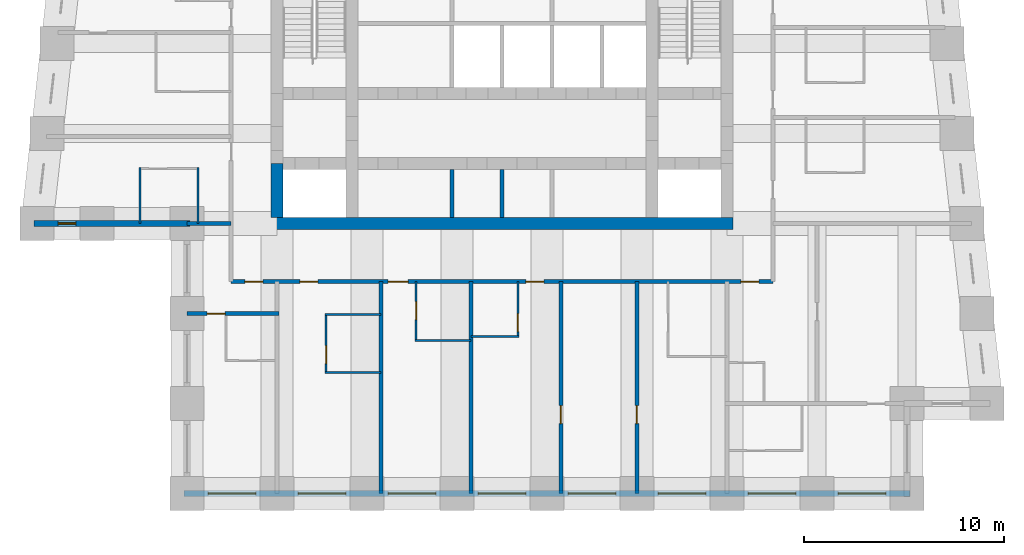
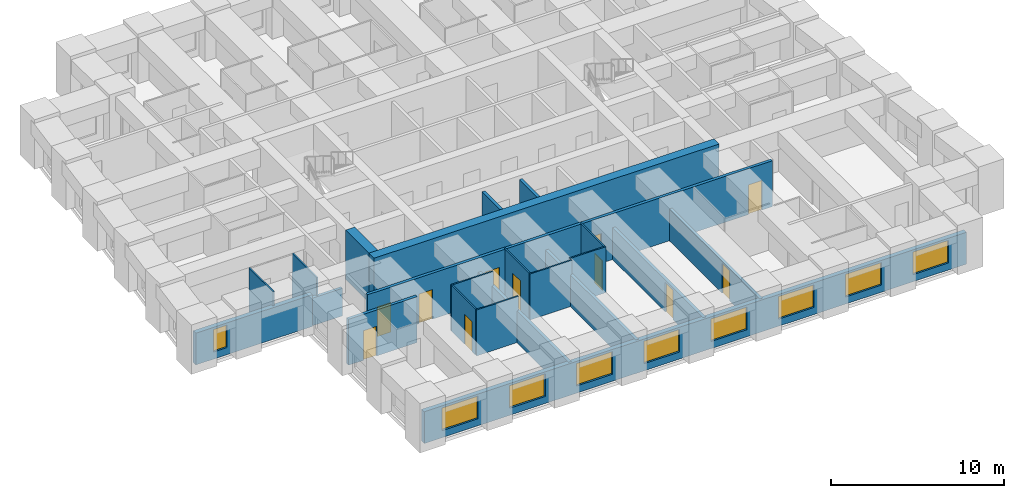
# One storey, part 2 of 8: 22 walls, 11 doors, 9 windows, 20 openings.
"""IFC4 building model written with IfcOpenShell, lengths in metres."""

from ifc_helpers import new_model, si_unit, direction, frame, frame_2d, origin, place, context, subcontext, project, spatial, rectangle, extrude, material, layer, layer_set, type_object, element, fill, save


model = new_model("IFC4")

# Units and contexts
model_context = context("Model", 3, precision=1e-05, world=origin(), true_north=direction((0.0, 1.0)))
body_context = subcontext(model_context, "Body", "Model", "MODEL_VIEW")
ifc_project = project(units=[si_unit("LENGTHUNIT", "METRE"), si_unit("AREAUNIT", "SQUARE_METRE"), si_unit("VOLUMEUNIT", "CUBIC_METRE"), si_unit("PLANEANGLEUNIT", "RADIAN"), si_unit("MASSUNIT", "GRAM", prefix="KILO")], contexts=[model_context])

# Site, building, storey
site_placement = place(None, origin())
site = spatial("IfcSite", under=ifc_project, at=site_placement, CompositionType="ELEMENT")
building_placement = place(site_placement, origin())
building = spatial("IfcBuilding", under=site, at=building_placement, Name="Kilele Tower Hotel", CompositionType="ELEMENT")
storey_placement = place(building_placement, frame((0.0, 0.0, 186.89990234375)))
storey = spatial("IfcBuildingStorey", under=building, at=storey_placement, Name="L48", CompositionType="ELEMENT", Elevation=186.89990234375)

# Walls
ifc_material_1 = material(Name="Moisture-resistant board")
ifc_layer_1 = layer(ifc_material_1, 0.10009765625)
ifc_layer_set_1 = layer_set([ifc_layer_1], Name="Moisture-resistant board")
wall_type_1 = type_object("IfcWallType", Name="Bathroom partition 100", PredefinedType="PLUMBINGWALL", material=ifc_layer_set_1)
for number, where, z_axis, x_axis, name in (
    (1, (15.89990234375, 8.949951171875, 0.0), (0.0, 0.0, 1.0), (1.0, 0.0, 0.0), "Bathroom partition 100 L48"),
    (2, (15.89990234375, 6.050048828125, 0.0), (0.0, 0.0, 1.0), (1.0, 0.0, 0.0), "Bathroom partition 100 L48"),
):
    element("IfcWall", number, at=place(storey_placement, frame(where, z_axis=z_axis, x_axis=x_axis)), inside=storey, type_object=wall_type_1, Name=name, PredefinedType="PLUMBINGWALL", context=body_context, shape_type="SweptSolid", body=[
        extrude(rectangle(XDim=2.800048828125, YDim=0.10009765625, at=frame_2d((1.39990234375, 0.0))), origin(), (0.0, 0.0, 1.0), 3.25),
    ])

# Wall, opening, door
wall_1_placement = place(storey_placement, frame((15.949951171875, 9.0, 0.0), z_axis=(0.0, 0.0, 1.0), x_axis=(0.0, -1.0, 0.0)))
wall_1 = element("IfcWall", 3, at=wall_1_placement, inside=storey, type_object=wall_type_1, Name="Bathroom partition 100 L48", PredefinedType="PLUMBINGWALL", context=body_context, shape_type="SweptSolid", body=[
    extrude(rectangle(XDim=3.0, YDim=0.10009765625, at=frame_2d((1.5, 0.0))), origin(), (0.0, 0.0, 1.0), 3.25),
])
opening_1_placement = place(wall_1_placement, frame((2.5, 0.0, 0.0), z_axis=(0.0, 0.0, 1.0), x_axis=(-1.0, 0.0, 0.0)))
opening_1 = element("IfcOpeningElement", 4, at=opening_1_placement, cuts=wall_1, Name="Opening D2A", PredefinedType="OPENING", context=body_context, shape_type="SweptSolid", body=[
    extrude(rectangle(XDim=0.89990234375, YDim=2.10009765625, at=frame_2d((0.449951171875, 1.050048828125))), frame((0.0, 0.06005859375, 0.0), z_axis=(0.0, -1.0, 0.0), x_axis=(1.0, 0.0, 0.0)), (0.0, 0.0, 1.0), 0.1201171875),
])
ifc_material_2 = material(Name="Timber door leaf in hardwood frame", Category="wood")
door_type_1 = type_object("IfcDoorType", Name="Bathroom door 900", OperationType="SINGLE_SWING_LEFT", PredefinedType="DOOR", material=ifc_material_2)
door_1_placement = place(opening_1_placement, origin())
door_1 = element("IfcDoor", 5, at=door_1_placement, inside=storey, type_object=door_type_1, Name="Bathroom door 4801B", OperationType="SINGLE_SWING_LEFT", OverallHeight=2.10009765625, OverallWidth=0.89990234375, PredefinedType="DOOR", context=body_context, shape_type="SweptSolid", body=[
    extrude(rectangle(XDim=0.89990234375, YDim=2.10009765625, at=frame_2d((0.449951171875, 1.050048828125))), frame((0.0, 0.02490234375, 0.0), z_axis=(0.0, -1.0, 0.0), x_axis=(1.0, 0.0, 0.0)), (0.0, 0.0, 1.0), 0.050048828125),
])
fill(opening_1, door_1)

# Wall
wall_2_placement = place(storey_placement, frame((20.39990234375, 7.64990234375, 0.0), z_axis=(0.0, 0.0, 1.0), x_axis=(1.0, 0.0, 0.0)))
element("IfcWall", 6, at=wall_2_placement, inside=storey, type_object=wall_type_1, Name="Bathroom partition 100 L48", PredefinedType="PLUMBINGWALL", context=body_context, shape_type="SweptSolid", body=[
    extrude(rectangle(XDim=2.800048828125, YDim=0.10009765625, at=frame_2d((1.39990234375, 0.0))), origin(), (0.0, 0.0, 1.0), 3.25),
])

# Wall, opening, door
wall_3_placement = place(storey_placement, frame((20.449951171875, 10.60009765625, 0.0), z_axis=(0.0, 0.0, 1.0), x_axis=(0.0, -1.0, 0.0)))
wall_3 = element("IfcWall", 7, at=wall_3_placement, inside=storey, type_object=wall_type_1, Name="Bathroom partition 100 L48", PredefinedType="PLUMBINGWALL", context=body_context, shape_type="SweptSolid", body=[
    extrude(rectangle(XDim=3.0, YDim=0.10009765625, at=frame_2d((1.5, 0.0))), origin(), (0.0, 0.0, 1.0), 3.25),
])
opening_2_placement = place(wall_3_placement, frame((1.89990234375, 0.0, 0.0), z_axis=(0.0, 0.0, 1.0), x_axis=(-1.0, 0.0, 0.0)))
opening_2 = element("IfcOpeningElement", 8, at=opening_2_placement, cuts=wall_3, Name="Opening D2A", PredefinedType="OPENING", context=body_context, shape_type="SweptSolid", body=[
    extrude(rectangle(XDim=0.89990234375, YDim=2.10009765625, at=frame_2d((0.449951171875, 1.050048828125))), frame((0.0, 0.06005859375, 0.0), z_axis=(0.0, -1.0, 0.0), x_axis=(1.0, 0.0, 0.0)), (0.0, 0.0, 1.0), 0.1201171875),
])
door_2_placement = place(opening_2_placement, origin())
door_2 = element("IfcDoor", 9, at=door_2_placement, inside=storey, type_object=door_type_1, Name="Bathroom door 4802B", OperationType="SINGLE_SWING_RIGHT", OverallHeight=2.10009765625, OverallWidth=0.89990234375, PredefinedType="DOOR", context=body_context, shape_type="SweptSolid", body=[
    extrude(rectangle(XDim=0.89990234375, YDim=2.10009765625, at=frame_2d((0.449951171875, 1.050048828125))), frame((0.0, 0.02490234375, 0.0), z_axis=(0.0, -1.0, 0.0), x_axis=(1.0, 0.0, 0.0)), (0.0, 0.0, 1.0), 0.050048828125),
])
fill(opening_2, door_2)

# Wall
wall_4_placement = place(storey_placement, frame((23.199951171875, 7.85009765625, 0.0), z_axis=(0.0, 0.0, 1.0), x_axis=(1.0, 0.0, 0.0)))
element("IfcWall", 10, at=wall_4_placement, inside=storey, type_object=wall_type_1, Name="Bathroom partition 100 L48", PredefinedType="PLUMBINGWALL", context=body_context, shape_type="SweptSolid", body=[
    extrude(rectangle(XDim=2.400146484375, YDim=0.10009765625, at=frame_2d((1.2001953125, 0.0))), origin(), (0.0, 0.0, 1.0), 3.25),
])

# Wall, opening, door
wall_5_placement = place(storey_placement, frame((25.550048828125, 10.60009765625, 0.0), z_axis=(0.0, 0.0, 1.0), x_axis=(0.0, -1.0, 0.0)))
wall_5 = element("IfcWall", 11, at=wall_5_placement, inside=storey, type_object=wall_type_1, Name="Bathroom partition 100 L48", PredefinedType="PLUMBINGWALL", context=body_context, shape_type="SweptSolid", body=[
    extrude(rectangle(XDim=2.800048828125, YDim=0.10009765625, at=frame_2d((1.39990234375, 0.0))), origin(), (0.0, 0.0, 1.0), 3.25),
])
opening_3_placement = place(wall_5_placement, frame((1.60009765625, 0.0, 0.0)))
opening_3 = element("IfcOpeningElement", 12, at=opening_3_placement, cuts=wall_5, Name="Opening D2A", PredefinedType="OPENING", context=body_context, shape_type="SweptSolid", body=[
    extrude(rectangle(XDim=0.89990234375, YDim=2.10009765625, at=frame_2d((0.449951171875, 1.050048828125))), frame((0.0, 0.06005859375, 0.0), z_axis=(0.0, -1.0, 0.0), x_axis=(1.0, 0.0, 0.0)), (0.0, 0.0, 1.0), 0.1201171875),
])
door_3_placement = place(opening_3_placement, origin())
door_3 = element("IfcDoor", 13, at=door_3_placement, inside=storey, type_object=door_type_1, Name="Bathroom door 4803B", OperationType="SINGLE_SWING_RIGHT", OverallHeight=2.10009765625, OverallWidth=0.89990234375, PredefinedType="DOOR", context=body_context, shape_type="SweptSolid", body=[
    extrude(rectangle(XDim=0.89990234375, YDim=2.10009765625, at=frame_2d((0.449951171875, 1.050048828125))), frame((0.0, 0.02490234375, 0.0), z_axis=(0.0, -1.0, 0.0), x_axis=(1.0, 0.0, 0.0)), (0.0, 0.0, 1.0), 0.050048828125),
])
fill(opening_3, door_3)

# Walls
for number, where, z_axis, x_axis, name in (
    (14, (9.550048828125, 13.5, 0.0), (0.0, 0.0, 1.0), (0.0, 1.0, 0.0), "Bathroom partition 100 L48"),
    (15, (6.64990234375, 13.5, 0.0), (0.0, 0.0, 1.0), (0.0, 1.0, 0.0), "Bathroom partition 100 L48"),
):
    element("IfcWall", number, at=place(storey_placement, frame(where, z_axis=z_axis, x_axis=x_axis)), inside=storey, type_object=wall_type_1, Name=name, PredefinedType="PLUMBINGWALL", context=body_context, shape_type="SweptSolid", body=[
        extrude(rectangle(XDim=2.800048828125, YDim=0.10009765625, at=frame_2d((1.39990234375, 0.0))), origin(), (0.0, 0.0, 1.0), 3.25),
    ])
ifc_material_3 = material(Name="Concrete C70/85", Category="concrete")
ifc_layer_2 = layer(ifc_material_3, 0.60009765625)
ifc_layer_set_2 = layer_set([ifc_layer_2], Name="Concrete C70/85")
wall_type_2 = type_object("IfcWallType", Name="Core wall 600 C70/85", PredefinedType="SHEAR", material=ifc_layer_set_2)
wall_6_placement = place(storey_placement, frame((13.199951171875, 13.5, 0.0), z_axis=(0.0, 0.0, 1.0), x_axis=(1.0, 0.0, 0.0)))
element("IfcWall", 16, at=wall_6_placement, inside=storey, type_object=wall_type_2, Name="Core wall S L48", PredefinedType="SHEAR", context=body_context, shape_type="SweptSolid", body=[
    extrude(rectangle(XDim=23.10009765625, YDim=0.60009765625, at=frame_2d((11.550048828125, 0.0))), origin(), (0.0, 0.0, 1.0), 3.5),
])
wall_7_placement = place(storey_placement, frame((13.5, 16.5, 0.0), z_axis=(0.0, 0.0, 1.0), x_axis=(0.0, -1.0, 0.0)))
element("IfcWall", 17, at=wall_7_placement, inside=storey, type_object=wall_type_2, Name="Core wall W3 L48", PredefinedType="SHEAR", context=body_context, shape_type="SweptSolid", body=[
    extrude(rectangle(XDim=2.699951171875, YDim=0.60009765625, at=frame_2d((1.35009765625, 0.0))), origin(), (0.0, 0.0, 1.0), 3.5),
])

# Wall, openings, doors
ifc_material_4 = material(Name="Blockwork, plastered both sides", Category="masonry")
ifc_layer_3 = layer(ifc_material_4, 0.199951171875)
ifc_layer_set_3 = layer_set([ifc_layer_3], Name="Blockwork, plastered both sides")
wall_type_3 = type_object("IfcWallType", Name="Corridor wall 200", PredefinedType="PARTITIONING", material=ifc_layer_set_3)
wall_8_placement = place(storey_placement, frame((11.199951171875, 10.60009765625, 0.0), z_axis=(0.0, 0.0, 1.0), x_axis=(1.0, 0.0, 0.0)))
wall_8 = element("IfcWall", 18, at=wall_8_placement, inside=storey, type_object=wall_type_3, Name="Corridor wall 200 L48", PredefinedType="PARTITIONING", context=body_context, shape_type="SweptSolid", body=[
    extrude(rectangle(XDim=27.10009765625, YDim=0.199951171875, at=frame_2d((13.550048828125, 0.0))), origin(), (0.0, 0.0, 1.0), 3.25),
])
opening_4_placement = place(wall_8_placement, frame((4.349853515625, 0.0, 0.0), z_axis=(0.0, 0.0, 1.0), x_axis=(-1.0, 0.0, 0.0)))
opening_4 = element("IfcOpeningElement", 19, at=opening_4_placement, cuts=wall_8, Name="Opening D1", PredefinedType="OPENING", context=body_context, shape_type="SweptSolid", body=[
    extrude(rectangle(XDim=0.89990234375, YDim=2.10009765625, at=frame_2d((0.449951171875, 1.050048828125))), frame((0.0, 0.10986328125, 0.0), z_axis=(0.0, -1.0, 0.0), x_axis=(1.0, 0.0, 0.0)), (0.0, 0.0, 1.0), 0.219970703125),
])
opening_5_placement = place(wall_8_placement, frame((8.85009765625, 0.0, 0.0), z_axis=(0.0, 0.0, 1.0), x_axis=(-1.0, 0.0, 0.0)))
opening_5 = element("IfcOpeningElement", 20, at=opening_5_placement, cuts=wall_8, Name="Opening D1A", PredefinedType="OPENING", context=body_context, shape_type="SweptSolid", body=[
    extrude(rectangle(XDim=1.0, YDim=2.10009765625, at=frame_2d((0.5, 1.050048828125))), frame((0.0, 0.10986328125, 0.0), z_axis=(0.0, -1.0, 0.0), x_axis=(1.0, 0.0, 0.0)), (0.0, 0.0, 1.0), 0.219970703125),
])
opening_6_placement = place(wall_8_placement, frame((15.64990234375, 0.0, 0.0), z_axis=(0.0, 0.0, 1.0), x_axis=(-1.0, 0.0, 0.0)))
opening_6 = element("IfcOpeningElement", 21, at=opening_6_placement, cuts=wall_8, Name="Opening D1", PredefinedType="OPENING", context=body_context, shape_type="SweptSolid", body=[
    extrude(rectangle(XDim=0.89990234375, YDim=2.10009765625, at=frame_2d((0.449951171875, 1.050048828125))), frame((0.0, 0.10986328125, 0.0), z_axis=(0.0, -1.0, 0.0), x_axis=(1.0, 0.0, 0.0)), (0.0, 0.0, 1.0), 0.219970703125),
])
opening_7_placement = place(wall_8_placement, frame((1.599853515625, 0.0, 0.0), z_axis=(0.0, 0.0, 1.0), x_axis=(-1.0, 0.0, 0.0)))
opening_7 = element("IfcOpeningElement", 22, at=opening_7_placement, cuts=wall_8, Name="Opening D1", PredefinedType="OPENING", context=body_context, shape_type="SweptSolid", body=[
    extrude(rectangle(XDim=0.89990234375, YDim=2.10009765625, at=frame_2d((0.449951171875, 1.050048828125))), frame((0.0, 0.10986328125, 0.0), z_axis=(0.0, -1.0, 0.0), x_axis=(1.0, 0.0, 0.0)), (0.0, 0.0, 1.0), 0.219970703125),
])
opening_8_placement = place(wall_8_placement, frame((26.39990234375, 0.0, 0.0), z_axis=(0.0, 0.0, 1.0), x_axis=(-1.0, 0.0, 0.0)))
opening_8 = element("IfcOpeningElement", 23, at=opening_8_placement, cuts=wall_8, Name="Opening D1", PredefinedType="OPENING", context=body_context, shape_type="SweptSolid", body=[
    extrude(rectangle(XDim=0.89990234375, YDim=2.10009765625, at=frame_2d((0.449951171875, 1.050048828125))), frame((0.0, 0.10986328125, 0.0), z_axis=(0.0, -1.0, 0.0), x_axis=(1.0, 0.0, 0.0)), (0.0, 0.0, 1.0), 0.219970703125),
])
ifc_material_5 = material(Name="Timber door leaf in hardwood frame", Category="wood")
door_type_2 = type_object("IfcDoorType", Name="Guest room entrance door 1000", OperationType="SINGLE_SWING_LEFT", PredefinedType="DOOR", material=ifc_material_5)
door_4_placement = place(opening_5_placement, origin())
door_4 = element("IfcDoor", 24, at=door_4_placement, inside=storey, type_object=door_type_2, Name="Room entrance 4802", OperationType="SINGLE_SWING_RIGHT", OverallHeight=2.10009765625, OverallWidth=1.0, PredefinedType="DOOR", context=body_context, shape_type="SweptSolid", body=[
    extrude(rectangle(XDim=1.0, YDim=2.10009765625, at=frame_2d((0.5, 1.050048828125))), frame((0.0, 0.02490234375, 0.0), z_axis=(0.0, -1.0, 0.0), x_axis=(1.0, 0.0, 0.0)), (0.0, 0.0, 1.0), 0.050048828125),
])
fill(opening_5, door_4)
ifc_material_6 = material(Name="Timber door leaf in hardwood frame", Category="wood")
door_type_3 = type_object("IfcDoorType", Name="Guest room entrance door 900", OperationType="SINGLE_SWING_LEFT", PredefinedType="DOOR", material=ifc_material_6)
door_5_placement = place(opening_4_placement, origin())
door_5 = element("IfcDoor", 25, at=door_5_placement, inside=storey, type_object=door_type_3, Name="Room entrance 4801", OperationType="SINGLE_SWING_RIGHT", OverallHeight=2.10009765625, OverallWidth=0.89990234375, PredefinedType="DOOR", context=body_context, shape_type="SweptSolid", body=[
    extrude(rectangle(XDim=0.89990234375, YDim=2.10009765625, at=frame_2d((0.449951171875, 1.050048828125))), frame((0.0, 0.02490234375, 0.0), z_axis=(0.0, -1.0, 0.0), x_axis=(1.0, 0.0, 0.0)), (0.0, 0.0, 1.0), 0.050048828125),
])
fill(opening_4, door_5)
door_6_placement = place(opening_6_placement, origin())
door_6 = element("IfcDoor", 26, at=door_6_placement, inside=storey, type_object=door_type_3, Name="Room entrance 4803", OperationType="SINGLE_SWING_RIGHT", OverallHeight=2.10009765625, OverallWidth=0.89990234375, PredefinedType="DOOR", context=body_context, shape_type="SweptSolid", body=[
    extrude(rectangle(XDim=0.89990234375, YDim=2.10009765625, at=frame_2d((0.449951171875, 1.050048828125))), frame((0.0, 0.02490234375, 0.0), z_axis=(0.0, -1.0, 0.0), x_axis=(1.0, 0.0, 0.0)), (0.0, 0.0, 1.0), 0.050048828125),
])
fill(opening_6, door_6)
door_7_placement = place(opening_7_placement, origin())
door_7 = element("IfcDoor", 27, at=door_7_placement, inside=storey, type_object=door_type_3, Name="Room entrance 4817", OperationType="SINGLE_SWING_LEFT", OverallHeight=2.10009765625, OverallWidth=0.89990234375, PredefinedType="DOOR", context=body_context, shape_type="SweptSolid", body=[
    extrude(rectangle(XDim=0.89990234375, YDim=2.10009765625, at=frame_2d((0.449951171875, 1.050048828125))), frame((0.0, 0.02490234375, 0.0), z_axis=(0.0, -1.0, 0.0), x_axis=(1.0, 0.0, 0.0)), (0.0, 0.0, 1.0), 0.050048828125),
])
fill(opening_7, door_7)
door_8_placement = place(opening_8_placement, origin())
door_8 = element("IfcDoor", 28, at=door_8_placement, inside=storey, type_object=door_type_3, Name="Room entrance 4819", OperationType="SINGLE_SWING_RIGHT", OverallHeight=2.10009765625, OverallWidth=0.89990234375, PredefinedType="DOOR", context=body_context, shape_type="SweptSolid", body=[
    extrude(rectangle(XDim=0.89990234375, YDim=2.10009765625, at=frame_2d((0.449951171875, 1.050048828125))), frame((0.0, 0.02490234375, 0.0), z_axis=(0.0, -1.0, 0.0), x_axis=(1.0, 0.0, 0.0)), (0.0, 0.0, 1.0), 0.050048828125),
])
fill(opening_8, door_8)

# Walls
ifc_material_7 = material(Name="Blockwork, plastered both sides", Category="masonry")
ifc_layer_4 = layer(ifc_material_7, 0.199951171875)
ifc_layer_set_4 = layer_set([ifc_layer_4], Name="Blockwork, plastered both sides")
wall_type_4 = type_object("IfcWallType", Name="Party wall 200", PredefinedType="PARTITIONING", material=ifc_layer_set_4)
for number, where, z_axis, x_axis, name in (
    (29, (18.699951171875, 10.60009765625, 0.0), (0.0, 0.0, 1.0), (0.0, -1.0, 0.0), "Party wall 200 L48"),
    (30, (23.199951171875, 10.60009765625, 0.0), (0.0, 0.0, 1.0), (0.0, -1.0, 0.0), "Party wall 200 L48"),
):
    element("IfcWall", number, at=place(storey_placement, frame(where, z_axis=z_axis, x_axis=x_axis)), inside=storey, type_object=wall_type_4, Name=name, PredefinedType="PARTITIONING", context=body_context, shape_type="SweptSolid", body=[
        extrude(rectangle(XDim=10.60009765625, YDim=0.199951171875, at=frame_2d((5.300048828125, 0.0))), origin(), (0.0, 0.0, 1.0), 2.25),
    ])

# Wall, opening, door
wall_9_placement = place(storey_placement, frame((27.699951171875, 10.60009765625, 0.0), z_axis=(0.0, 0.0, 1.0), x_axis=(0.0, -1.0, 0.0)))
wall_9 = element("IfcWall", 31, at=wall_9_placement, inside=storey, type_object=wall_type_4, Name="Party wall 200 L48", PredefinedType="PARTITIONING", context=body_context, shape_type="SweptSolid", body=[
    extrude(rectangle(XDim=10.60009765625, YDim=0.199951171875, at=frame_2d((5.300048828125, 0.0))), origin(), (0.0, 0.0, 1.0), 2.25),
])
opening_9_placement = place(wall_9_placement, frame((6.199951171875, 0.0, 0.0)))
opening_9 = element("IfcOpeningElement", 32, at=opening_9_placement, cuts=wall_9, Name="Opening D3", PredefinedType="OPENING", context=body_context, shape_type="SweptSolid", body=[
    extrude(rectangle(XDim=0.89990234375, YDim=2.10009765625, at=frame_2d((0.449951171875, 1.050048828125))), frame((0.0, 0.10986328125, 0.0), z_axis=(0.0, -1.0, 0.0), x_axis=(1.0, 0.0, 0.0)), (0.0, 0.0, 1.0), 0.219970703125),
])
ifc_material_8 = material(Name="Timber door leaf in hardwood frame", Category="wood")
door_type_4 = type_object("IfcDoorType", Name="Suite internal door 900", OperationType="SINGLE_SWING_LEFT", PredefinedType="DOOR", material=ifc_material_8)
door_9_placement = place(opening_9_placement, origin())
door_9 = element("IfcDoor", 33, at=door_9_placement, inside=storey, type_object=door_type_4, Name="Suite door 4804", OperationType="SINGLE_SWING_RIGHT", OverallHeight=2.10009765625, OverallWidth=0.89990234375, PredefinedType="DOOR", context=body_context, shape_type="SweptSolid", body=[
    extrude(rectangle(XDim=0.89990234375, YDim=2.10009765625, at=frame_2d((0.449951171875, 1.050048828125))), frame((0.0, 0.02490234375, 0.0), z_axis=(0.0, -1.0, 0.0), x_axis=(1.0, 0.0, 0.0)), (0.0, 0.0, 1.0), 0.050048828125),
])
fill(opening_9, door_9)

wall_10_placement = place(storey_placement, frame((31.5, 10.60009765625, 0.0), z_axis=(0.0, 0.0, 1.0), x_axis=(0.0, -1.0, 0.0)))
wall_10 = element("IfcWall", 34, at=wall_10_placement, inside=storey, type_object=wall_type_4, Name="Party wall 200 L48", PredefinedType="PARTITIONING", context=body_context, shape_type="SweptSolid", body=[
    extrude(rectangle(XDim=10.60009765625, YDim=0.199951171875, at=frame_2d((5.300048828125, 0.0))), origin(), (0.0, 0.0, 1.0), 2.25),
])
opening_10_placement = place(wall_10_placement, frame((6.199951171875, 0.0, 0.0)))
opening_10 = element("IfcOpeningElement", 35, at=opening_10_placement, cuts=wall_10, Name="Opening D3", PredefinedType="OPENING", context=body_context, shape_type="SweptSolid", body=[
    extrude(rectangle(XDim=0.89990234375, YDim=2.10009765625, at=frame_2d((0.449951171875, 1.050048828125))), frame((0.0, 0.10986328125, 0.0), z_axis=(0.0, -1.0, 0.0), x_axis=(1.0, 0.0, 0.0)), (0.0, 0.0, 1.0), 0.219970703125),
])
door_10_placement = place(opening_10_placement, origin())
door_10 = element("IfcDoor", 36, at=door_10_placement, inside=storey, type_object=door_type_4, Name="Suite door 4805", OperationType="SINGLE_SWING_RIGHT", OverallHeight=2.10009765625, OverallWidth=0.89990234375, PredefinedType="DOOR", context=body_context, shape_type="SweptSolid", body=[
    extrude(rectangle(XDim=0.89990234375, YDim=2.10009765625, at=frame_2d((0.449951171875, 1.050048828125))), frame((0.0, 0.02490234375, 0.0), z_axis=(0.0, -1.0, 0.0), x_axis=(1.0, 0.0, 0.0)), (0.0, 0.0, 1.0), 0.050048828125),
])
fill(opening_10, door_10)

# Wall
wall_11_placement = place(storey_placement, frame((11.199951171875, 13.5, 0.0), z_axis=(0.0, 0.0, 1.0), x_axis=(-1.0, 0.0, 0.0)))
element("IfcWall", 37, at=wall_11_placement, inside=storey, type_object=wall_type_4, Name="Party wall 200 L48", PredefinedType="PARTITIONING", context=body_context, shape_type="SweptSolid", body=[
    extrude(rectangle(XDim=2.199951171875, YDim=0.199951171875, at=frame_2d((1.10009765625, 0.0))), origin(), (0.0, 0.0, 1.0), 1.9501953125),
])

# Wall, opening, door
wall_12_placement = place(storey_placement, frame((13.60009765625, 9.0, 0.0), z_axis=(0.0, 0.0, 1.0), x_axis=(-1.0, 0.0, 0.0)))
wall_12 = element("IfcWall", 38, at=wall_12_placement, inside=storey, type_object=wall_type_4, Name="Party wall 200 L48", PredefinedType="PARTITIONING", context=body_context, shape_type="SweptSolid", body=[
    extrude(rectangle(XDim=4.60009765625, YDim=0.199951171875, at=frame_2d((2.300048828125, 0.0))), origin(), (0.0, 0.0, 1.0), 3.25),
])
opening_11_placement = place(wall_12_placement, frame((2.699951171875, 0.0, 0.0)))
opening_11 = element("IfcOpeningElement", 39, at=opening_11_placement, cuts=wall_12, Name="Opening D3", PredefinedType="OPENING", context=body_context, shape_type="SweptSolid", body=[
    extrude(rectangle(XDim=0.89990234375, YDim=2.10009765625, at=frame_2d((0.449951171875, 1.050048828125))), frame((0.0, 0.10986328125, 0.0), z_axis=(0.0, -1.0, 0.0), x_axis=(1.0, 0.0, 0.0)), (0.0, 0.0, 1.0), 0.219970703125),
])
door_11_placement = place(opening_11_placement, origin())
door_11 = element("IfcDoor", 40, at=door_11_placement, inside=storey, type_object=door_type_4, Name="Suite door 4818", OperationType="SINGLE_SWING_LEFT", OverallHeight=2.10009765625, OverallWidth=0.89990234375, PredefinedType="DOOR", context=body_context, shape_type="SweptSolid", body=[
    extrude(rectangle(XDim=0.89990234375, YDim=2.10009765625, at=frame_2d((0.449951171875, 1.050048828125))), frame((0.0, 0.02490234375, 0.0), z_axis=(0.0, -1.0, 0.0), x_axis=(1.0, 0.0, 0.0)), (0.0, 0.0, 1.0), 0.050048828125),
])
fill(opening_11, door_11)

# Wall, opening, window
ifc_material_9 = material(Name="Concrete C40/50 precast", Category="concrete")
ifc_layer_5 = layer(ifc_material_9, 0.260009765625, Name="Precast backing", Category="LoadBearing")
ifc_material_10 = material(Name="Reconstituted stone finish", Category="masonry")
ifc_layer_6 = layer(ifc_material_10, 0.0400390625, Name="Face mix", Category="Finish")
ifc_layer_set_5 = layer_set([ifc_layer_5, ifc_layer_6], Name="Precast concrete C40/50, reconstituted stone finish")
wall_type_5 = type_object("IfcWallType", Name="Precast stone facade wall 300", PredefinedType="STANDARD", material=ifc_layer_set_5)
wall_13_placement = place(storey_placement, frame((1.35009765625, 13.5, 0.0), z_axis=(0.0, 0.0, 1.0), x_axis=(1.0, 0.0, 0.0)))
wall_13 = element("IfcWall", 41, at=wall_13_placement, inside=storey, type_object=wall_type_5, Name="Facade wall L48 edge 1", PredefinedType="STANDARD", context=body_context, shape_type="SweptSolid", body=[
    extrude(rectangle(XDim=7.7998046875, YDim=0.300048828125, at=frame_2d((3.89990234375, 0.0))), origin(), (0.0, 0.0, 1.0), 2.25),
])
opening_12_placement = place(wall_13_placement, frame((1.199951171875, 0.0, 0.5)))
opening_12 = element("IfcOpeningElement", 42, at=opening_12_placement, cuts=wall_13, Name="Opening W3", PredefinedType="OPENING", context=body_context, shape_type="SweptSolid", body=[
    extrude(rectangle(XDim=0.89990234375, YDim=1.60009765625, at=frame_2d((0.449951171875, 0.800048828125))), frame((0.0, 0.159912109375, 0.0), z_axis=(0.0, -1.0, 0.0), x_axis=(1.0, 0.0, 0.0)), (0.0, 0.0, 1.0), 0.320068359375),
])
ifc_material_11 = material(Name="Aluminium frame, clear double glazing", Category="aluminium")
window_type_1 = type_object("IfcWindowType", Name="Window W3 900 x 1600", PartitioningType="SINGLE_PANEL", PredefinedType="WINDOW", material=ifc_material_11)
window_1_placement = place(opening_12_placement, origin())
window_1 = element("IfcWindow", 43, at=window_1_placement, inside=storey, type_object=window_type_1, Name="Window L48", OverallHeight=1.60009765625, OverallWidth=0.89990234375, PartitioningType="SINGLE_PANEL", PredefinedType="WINDOW", context=body_context, shape_type="SweptSolid", body=[
    extrude(rectangle(XDim=0.89990234375, YDim=1.60009765625, at=frame_2d((0.449951171875, 0.800048828125))), frame((0.0, 0.030029296875, 0.0), z_axis=(0.0, -1.0, 0.0), x_axis=(1.0, 0.0, 0.0)), (0.0, 0.0, 1.0), 0.06005859375),
])
fill(opening_12, window_1)

# Wall, openings, windows
wall_14_placement = place(storey_placement, frame((8.85009765625, 0.0, 0.0), z_axis=(0.0, 0.0, 1.0), x_axis=(1.0, 0.0, 0.0)))
wall_14 = element("IfcWall", 44, at=wall_14_placement, inside=storey, type_object=wall_type_5, Name="Facade wall L48 edge 3", PredefinedType="STANDARD", context=body_context, shape_type="SweptSolid", body=[
    extrude(rectangle(XDim=36.2998046875, YDim=0.300048828125, at=frame_2d((18.14990234375, 0.0))), origin(), (0.0, 0.0, 1.0), 2.25),
])
opening_13_placement = place(wall_14_placement, frame((1.199951171875, 0.0, 0.5)))
opening_13 = element("IfcOpeningElement", 45, at=opening_13_placement, cuts=wall_14, Name="Opening W3", PredefinedType="OPENING", context=body_context, shape_type="SweptSolid", body=[
    extrude(rectangle(XDim=2.39990234375, YDim=1.60009765625, at=frame_2d((1.199951171875, 0.800048828125))), frame((0.0, 0.159912109375, 0.0), z_axis=(0.0, -1.0, 0.0), x_axis=(1.0, 0.0, 0.0)), (0.0, 0.0, 1.0), 0.320068359375),
])
opening_14_placement = place(wall_14_placement, frame((5.699951171875, 0.0, 0.5)))
opening_14 = element("IfcOpeningElement", 46, at=opening_14_placement, cuts=wall_14, Name="Opening W3", PredefinedType="OPENING", context=body_context, shape_type="SweptSolid", body=[
    extrude(rectangle(XDim=2.39990234375, YDim=1.60009765625, at=frame_2d((1.199951171875, 0.800048828125))), frame((0.0, 0.159912109375, 0.0), z_axis=(0.0, -1.0, 0.0), x_axis=(1.0, 0.0, 0.0)), (0.0, 0.0, 1.0), 0.320068359375),
])
opening_15_placement = place(wall_14_placement, frame((10.199951171875, 0.0, 0.5)))
opening_15 = element("IfcOpeningElement", 47, at=opening_15_placement, cuts=wall_14, Name="Opening W3", PredefinedType="OPENING", context=body_context, shape_type="SweptSolid", body=[
    extrude(rectangle(XDim=2.39990234375, YDim=1.60009765625, at=frame_2d((1.199951171875, 0.800048828125))), frame((0.0, 0.159912109375, 0.0), z_axis=(0.0, -1.0, 0.0), x_axis=(1.0, 0.0, 0.0)), (0.0, 0.0, 1.0), 0.320068359375),
])
opening_16_placement = place(wall_14_placement, frame((14.699951171875, 0.0, 0.5)))
opening_16 = element("IfcOpeningElement", 48, at=opening_16_placement, cuts=wall_14, Name="Opening W3", PredefinedType="OPENING", context=body_context, shape_type="SweptSolid", body=[
    extrude(rectangle(XDim=2.39990234375, YDim=1.60009765625, at=frame_2d((1.199951171875, 0.800048828125))), frame((0.0, 0.159912109375, 0.0), z_axis=(0.0, -1.0, 0.0), x_axis=(1.0, 0.0, 0.0)), (0.0, 0.0, 1.0), 0.320068359375),
])
opening_17_placement = place(wall_14_placement, frame((19.199951171875, 0.0, 0.5)))
opening_17 = element("IfcOpeningElement", 49, at=opening_17_placement, cuts=wall_14, Name="Opening W3", PredefinedType="OPENING", context=body_context, shape_type="SweptSolid", body=[
    extrude(rectangle(XDim=2.39990234375, YDim=1.60009765625, at=frame_2d((1.199951171875, 0.800048828125))), frame((0.0, 0.159912109375, 0.0), z_axis=(0.0, -1.0, 0.0), x_axis=(1.0, 0.0, 0.0)), (0.0, 0.0, 1.0), 0.320068359375),
])
opening_18_placement = place(wall_14_placement, frame((23.699951171875, 0.0, 0.5)))
opening_18 = element("IfcOpeningElement", 50, at=opening_18_placement, cuts=wall_14, Name="Opening W3", PredefinedType="OPENING", context=body_context, shape_type="SweptSolid", body=[
    extrude(rectangle(XDim=2.39990234375, YDim=1.60009765625, at=frame_2d((1.199951171875, 0.800048828125))), frame((0.0, 0.159912109375, 0.0), z_axis=(0.0, -1.0, 0.0), x_axis=(1.0, 0.0, 0.0)), (0.0, 0.0, 1.0), 0.320068359375),
])
opening_19_placement = place(wall_14_placement, frame((28.199951171875, 0.0, 0.5)))
opening_19 = element("IfcOpeningElement", 51, at=opening_19_placement, cuts=wall_14, Name="Opening W3", PredefinedType="OPENING", context=body_context, shape_type="SweptSolid", body=[
    extrude(rectangle(XDim=2.39990234375, YDim=1.60009765625, at=frame_2d((1.199951171875, 0.800048828125))), frame((0.0, 0.159912109375, 0.0), z_axis=(0.0, -1.0, 0.0), x_axis=(1.0, 0.0, 0.0)), (0.0, 0.0, 1.0), 0.320068359375),
])
opening_20_placement = place(wall_14_placement, frame((32.699951171875, 0.0, 0.5)))
opening_20 = element("IfcOpeningElement", 52, at=opening_20_placement, cuts=wall_14, Name="Opening W3", PredefinedType="OPENING", context=body_context, shape_type="SweptSolid", body=[
    extrude(rectangle(XDim=2.39990234375, YDim=1.60009765625, at=frame_2d((1.199951171875, 0.800048828125))), frame((0.0, 0.159912109375, 0.0), z_axis=(0.0, -1.0, 0.0), x_axis=(1.0, 0.0, 0.0)), (0.0, 0.0, 1.0), 0.320068359375),
])
ifc_material_12 = material(Name="Aluminium frame, clear double glazing", Category="aluminium")
window_type_2 = type_object("IfcWindowType", Name="Window W3 2400 x 1600", PartitioningType="SINGLE_PANEL", PredefinedType="WINDOW", material=ifc_material_12)
window_2_placement = place(opening_13_placement, origin())
window_2 = element("IfcWindow", 53, at=window_2_placement, inside=storey, type_object=window_type_2, Name="Window L48", OverallHeight=1.60009765625, OverallWidth=2.39990234375, PartitioningType="SINGLE_PANEL", PredefinedType="WINDOW", context=body_context, shape_type="SweptSolid", body=[
    extrude(rectangle(XDim=2.39990234375, YDim=1.60009765625, at=frame_2d((1.199951171875, 0.800048828125))), frame((0.0, 0.030029296875, 0.0), z_axis=(0.0, -1.0, 0.0), x_axis=(1.0, 0.0, 0.0)), (0.0, 0.0, 1.0), 0.06005859375),
])
fill(opening_13, window_2)
window_3_placement = place(opening_14_placement, origin())
window_3 = element("IfcWindow", 54, at=window_3_placement, inside=storey, type_object=window_type_2, Name="Window L48", OverallHeight=1.60009765625, OverallWidth=2.39990234375, PartitioningType="SINGLE_PANEL", PredefinedType="WINDOW", context=body_context, shape_type="SweptSolid", body=[
    extrude(rectangle(XDim=2.39990234375, YDim=1.60009765625, at=frame_2d((1.199951171875, 0.800048828125))), frame((0.0, 0.030029296875, 0.0), z_axis=(0.0, -1.0, 0.0), x_axis=(1.0, 0.0, 0.0)), (0.0, 0.0, 1.0), 0.06005859375),
])
fill(opening_14, window_3)
window_4_placement = place(opening_15_placement, origin())
window_4 = element("IfcWindow", 55, at=window_4_placement, inside=storey, type_object=window_type_2, Name="Window L48", OverallHeight=1.60009765625, OverallWidth=2.39990234375, PartitioningType="SINGLE_PANEL", PredefinedType="WINDOW", context=body_context, shape_type="SweptSolid", body=[
    extrude(rectangle(XDim=2.39990234375, YDim=1.60009765625, at=frame_2d((1.199951171875, 0.800048828125))), frame((0.0, 0.030029296875, 0.0), z_axis=(0.0, -1.0, 0.0), x_axis=(1.0, 0.0, 0.0)), (0.0, 0.0, 1.0), 0.06005859375),
])
fill(opening_15, window_4)
window_5_placement = place(opening_16_placement, origin())
window_5 = element("IfcWindow", 56, at=window_5_placement, inside=storey, type_object=window_type_2, Name="Window L48", OverallHeight=1.60009765625, OverallWidth=2.39990234375, PartitioningType="SINGLE_PANEL", PredefinedType="WINDOW", context=body_context, shape_type="SweptSolid", body=[
    extrude(rectangle(XDim=2.39990234375, YDim=1.60009765625, at=frame_2d((1.199951171875, 0.800048828125))), frame((0.0, 0.030029296875, 0.0), z_axis=(0.0, -1.0, 0.0), x_axis=(1.0, 0.0, 0.0)), (0.0, 0.0, 1.0), 0.06005859375),
])
fill(opening_16, window_5)
window_6_placement = place(opening_17_placement, origin())
window_6 = element("IfcWindow", 57, at=window_6_placement, inside=storey, type_object=window_type_2, Name="Window L48", OverallHeight=1.60009765625, OverallWidth=2.39990234375, PartitioningType="SINGLE_PANEL", PredefinedType="WINDOW", context=body_context, shape_type="SweptSolid", body=[
    extrude(rectangle(XDim=2.39990234375, YDim=1.60009765625, at=frame_2d((1.199951171875, 0.800048828125))), frame((0.0, 0.030029296875, 0.0), z_axis=(0.0, -1.0, 0.0), x_axis=(1.0, 0.0, 0.0)), (0.0, 0.0, 1.0), 0.06005859375),
])
fill(opening_17, window_6)
window_7_placement = place(opening_18_placement, origin())
window_7 = element("IfcWindow", 58, at=window_7_placement, inside=storey, type_object=window_type_2, Name="Window L48", OverallHeight=1.60009765625, OverallWidth=2.39990234375, PartitioningType="SINGLE_PANEL", PredefinedType="WINDOW", context=body_context, shape_type="SweptSolid", body=[
    extrude(rectangle(XDim=2.39990234375, YDim=1.60009765625, at=frame_2d((1.199951171875, 0.800048828125))), frame((0.0, 0.030029296875, 0.0), z_axis=(0.0, -1.0, 0.0), x_axis=(1.0, 0.0, 0.0)), (0.0, 0.0, 1.0), 0.06005859375),
])
fill(opening_18, window_7)
window_8_placement = place(opening_19_placement, origin())
window_8 = element("IfcWindow", 59, at=window_8_placement, inside=storey, type_object=window_type_2, Name="Window L48", OverallHeight=1.60009765625, OverallWidth=2.39990234375, PartitioningType="SINGLE_PANEL", PredefinedType="WINDOW", context=body_context, shape_type="SweptSolid", body=[
    extrude(rectangle(XDim=2.39990234375, YDim=1.60009765625, at=frame_2d((1.199951171875, 0.800048828125))), frame((0.0, 0.030029296875, 0.0), z_axis=(0.0, -1.0, 0.0), x_axis=(1.0, 0.0, 0.0)), (0.0, 0.0, 1.0), 0.06005859375),
])
fill(opening_19, window_8)
window_9_placement = place(opening_20_placement, origin())
window_9 = element("IfcWindow", 60, at=window_9_placement, inside=storey, type_object=window_type_2, Name="Window L48", OverallHeight=1.60009765625, OverallWidth=2.39990234375, PartitioningType="SINGLE_PANEL", PredefinedType="WINDOW", context=body_context, shape_type="SweptSolid", body=[
    extrude(rectangle(XDim=2.39990234375, YDim=1.60009765625, at=frame_2d((1.199951171875, 0.800048828125))), frame((0.0, 0.030029296875, 0.0), z_axis=(0.0, -1.0, 0.0), x_axis=(1.0, 0.0, 0.0)), (0.0, 0.0, 1.0), 0.06005859375),
])
fill(opening_20, window_9)

# Walls
ifc_material_13 = material(Name="Blockwork, fire-rated", Category="masonry")
ifc_layer_7 = layer(ifc_material_13, 0.199951171875)
ifc_layer_set_6 = layer_set([ifc_layer_7], Name="Blockwork, fire-rated")
wall_type_6 = type_object("IfcWallType", Name="Shaft wall 200", PredefinedType="PARTITIONING", material=ifc_layer_set_6)
for number, where, z_axis, x_axis, name in (
    (61, (22.25, 13.800048828125, 0.0), (0.0, 0.0, 1.0), (0.0, 1.0, 0.0), "Shaft wall 200 L48"),
    (62, (24.75, 13.800048828125, 0.0), (0.0, 0.0, 1.0), (0.0, 1.0, 0.0), "Shaft wall 200 L48"),
):
    element("IfcWall", number, at=place(storey_placement, frame(where, z_axis=z_axis, x_axis=x_axis)), inside=storey, type_object=wall_type_6, Name=name, PredefinedType="PARTITIONING", context=body_context, shape_type="SweptSolid", body=[
        extrude(rectangle(XDim=2.39990234375, YDim=0.199951171875, at=frame_2d((1.199951171875, 0.0))), origin(), (0.0, 0.0, 1.0), 3.25),
    ])

save(model, "model.ifc")
